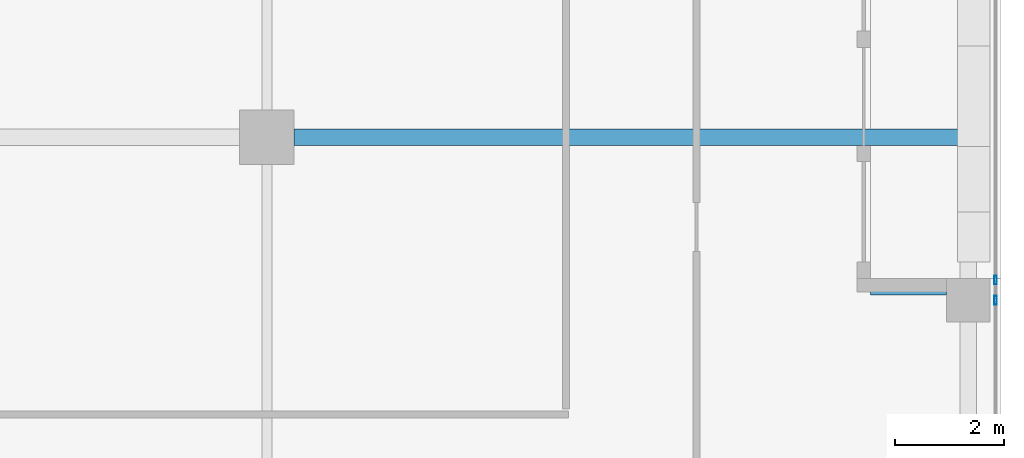
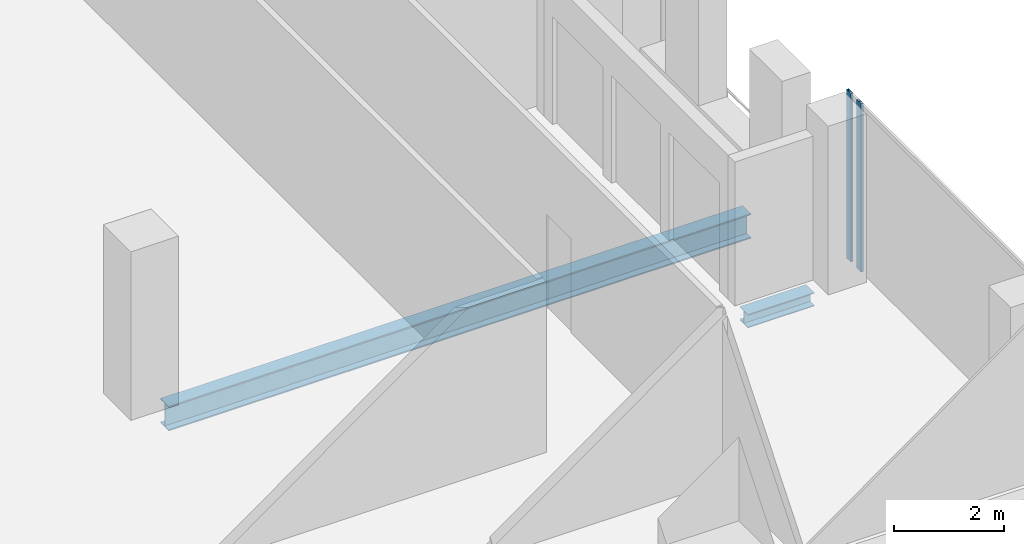
# One storey, part 10 of 29: 2 beams, 2 members, 1 element without a shape of its own.
"""IFC4 building model written with IfcOpenShell, lengths in metres."""

from ifc_helpers import new_model, si_unit, direction, frame, origin, origin_2d, place, context, subcontext, project, spatial, hollow_rectangle, i_section, extrude, source, transform, mapped, material, material_profile, profile_set, type_object, element, aggregate, save


model = new_model("IFC4")

# Units and contexts
model_context = context("Model", 3, precision=1e-05, world=origin(), true_north=direction((0.0, 1.0)))
body_context = subcontext(model_context, "Body", "Model", "MODEL_VIEW")
ifc_project = project(units=[si_unit("LENGTHUNIT", "METRE"), si_unit("AREAUNIT", "SQUARE_METRE"), si_unit("VOLUMEUNIT", "CUBIC_METRE"), si_unit("PLANEANGLEUNIT", "RADIAN"), si_unit("MASSUNIT", "GRAM", prefix="KILO")], contexts=[model_context])

# Site, building, storey
site_placement = place(None, origin())
site = spatial("IfcSite", under=ifc_project, at=site_placement, CompositionType="ELEMENT")
building_placement = place(site_placement, origin())
building = spatial("IfcBuilding", under=site, at=building_placement, Name="Khomas Fold Tower", CompositionType="ELEMENT")
storey_placement = place(building_placement, frame((0.0, 0.0, 322.199951171875)))
storey = spatial("IfcBuildingStorey", under=building, at=storey_placement, Name="L73", CompositionType="ELEMENT", Elevation=322.199951171875)

# Beams
ifc_material_1 = material(Name="Steel S355", Category="steel")
ifc_material_profile_1 = material_profile(ifc_material_1, i_section(OverallWidth=0.300048828125, OverallDepth=0.550048828125, WebThickness=0.014892578125, FlangeThickness=0.029052734375, at=origin_2d()), Name="HE 550 B")
ifc_profile_set_1 = profile_set([ifc_material_profile_1], Name="Steel S355")
beam_type_1 = type_object("IfcBeamType", Name="HE 550 B beam GB4", PredefinedType="BEAM", material=ifc_profile_set_1)
shared_shape_1 = source(origin(), body_context, "Body", "SweptSolid", [
    extrude(i_section(OverallWidth=0.300048828125, OverallDepth=0.550048828125, WebThickness=0.014892578125, FlangeThickness=0.029052734375, at=origin_2d()), origin(), (0.0, 0.0, 1.0), 12.25),
])
beam_1_placement = place(storey_placement, frame((35.0, 22.5, -0.52490234375), z_axis=(1.0, 0.0, 0.0), x_axis=(0.0, 1.0, 0.0)))
element("IfcBeam", 1, at=beam_1_placement, inside=storey, type_object=beam_type_1, Name="GB4", PredefinedType="BEAM", context=body_context, shape_type="MappedRepresentation", body=[
    mapped(shared_shape_1, transform((0.0, 0.0, 0.0))),
])
ifc_material_2 = material(Name="Steel S355", Category="steel")
ifc_material_profile_2 = material_profile(ifc_material_2, i_section(OverallWidth=0.300048828125, OverallDepth=0.300048828125, WebThickness=0.010986328125, FlangeThickness=0.01904296875, at=origin_2d()), Name="HE 300 B")
ifc_profile_set_2 = profile_set([ifc_material_profile_2], Name="Steel S355")
beam_type_2 = type_object("IfcBeamType", Name="HE 300 B beam BB1", PredefinedType="BEAM", material=ifc_profile_set_2)
shared_shape_2 = source(origin(), body_context, "Body", "SweptSolid", [
    extrude(i_section(OverallWidth=0.300048828125, OverallDepth=0.300048828125, WebThickness=0.010986328125, FlangeThickness=0.01904296875, at=origin_2d()), origin(), (0.0, 0.0, 1.0), 1.39990234375),
])
beam_2_placement = place(storey_placement, frame((45.60009765625, 19.75, -0.39990234375), z_axis=(1.0, 0.0, 0.0), x_axis=(0.0, 1.0, 0.0)))
element("IfcBeam", 2, at=beam_2_placement, inside=storey, type_object=beam_type_2, Name="BB1", PredefinedType="BEAM", context=body_context, shape_type="MappedRepresentation", body=[
    mapped(shared_shape_2, transform((0.0, 0.0, 0.0))),
])

# Curtain wall, members
ifc_material_3 = material(Name="Aluminium framed double glazing", Category="aluminium")
curtain_wall_type = type_object("IfcCurtainWallType", Name="SK-Unitised clear-glass wall, upper floors CW3", PredefinedType="NOTDEFINED", material=ifc_material_3)
curtain_wall_placement = place(storey_placement, origin())
curtain_wall = element("IfcCurtainWall", 3, at=curtain_wall_placement, inside=storey, type_object=curtain_wall_type, Name="CW3 run L73 03-0", PredefinedType="NOTDEFINED")
ifc_material_4 = material(Name="Aluminium", Category="aluminium")
ifc_material_profile_3 = material_profile(ifc_material_4, hollow_rectangle(XDim=0.050048828125, YDim=0.159912109375, WallThickness=0.00390625, at=origin_2d()), Name="SK-Unitised clear-glass wall, upper floors mullion CW3-M")
ifc_profile_set_3 = profile_set([ifc_material_profile_3], Name="Aluminium")
member_type = type_object("IfcMemberType", Name="SK-Unitised clear-glass wall, upper floors mullion CW3-M", PredefinedType="MULLION", material=ifc_profile_set_3)
shared_shape_3 = source(origin(), body_context, "Body", "SweptSolid", [
    extrude(hollow_rectangle(XDim=0.050048828125, YDim=0.159912109375, WallThickness=0.00390625, at=origin_2d()), origin(), (0.0, 0.0, 1.0), 3.75),
])
member_1_placement = place(storey_placement, frame((47.89990234375, 19.5, 0.0), z_axis=(0.0, 0.0, 1.0), x_axis=(-1.0, 0.0, 0.0)))
member_1 = element("IfcMember", 4, at=member_1_placement, type_object=member_type, Name="CW3 mullion 3", PredefinedType="MULLION", context=body_context, shape_type="MappedRepresentation", body=[
    mapped(shared_shape_3, transform((0.0, 0.0, 0.0))),
])
member_2_placement = place(storey_placement, frame((47.89990234375, 19.875, 0.0), z_axis=(0.0, 0.0, 1.0), x_axis=(-1.0, 0.0, 0.0)))
member_2 = element("IfcMember", 5, at=member_2_placement, type_object=member_type, Name="CW3 mullion 4", PredefinedType="MULLION", context=body_context, shape_type="MappedRepresentation", body=[
    mapped(shared_shape_3, transform((0.0, 0.0, 0.0))),
])
aggregate(curtain_wall, [member_1, member_2])

save(model, "model.ifc")
